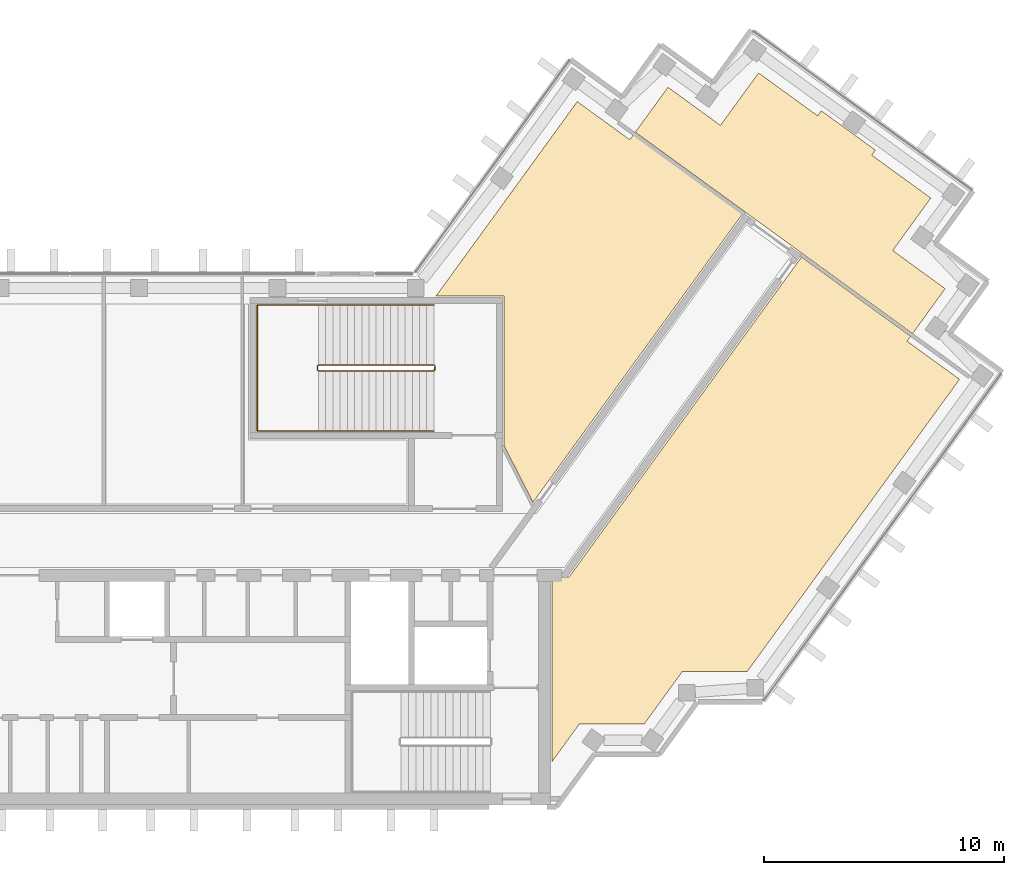
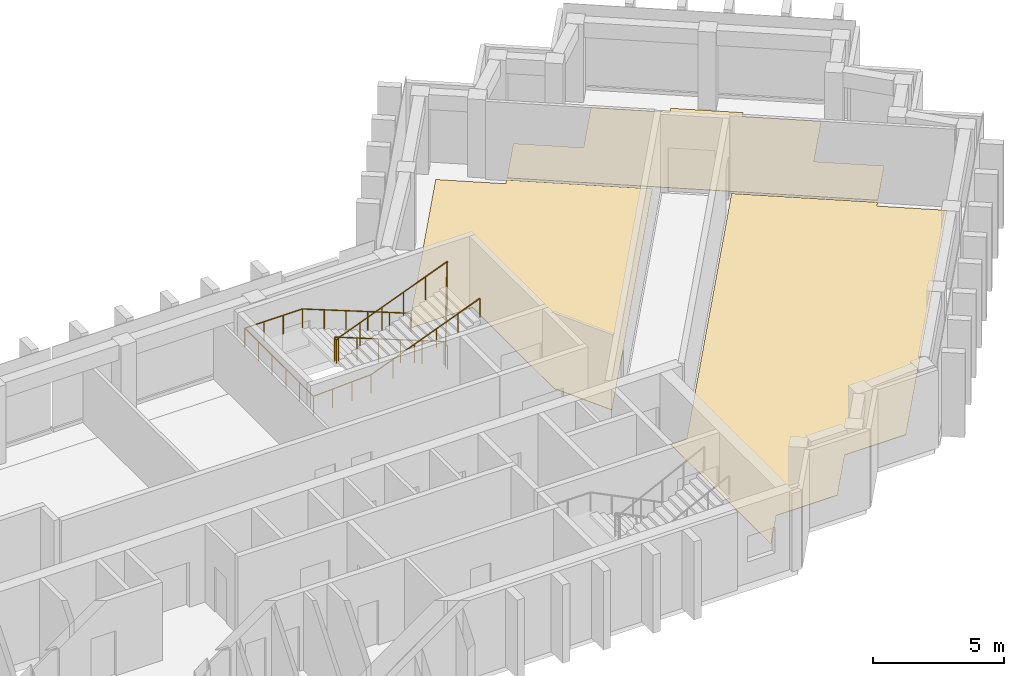
# One storey, part 8 of 8: 3 coverings, 2 railings.
"""IFC4 building model written with IfcOpenShell, lengths in metres."""

from ifc_helpers import new_model, si_unit, direction, frame, origin, origin_2d, place, context, subcontext, project, spatial, polyline, circle, outline, extrude, material, layer, layer_set, type_object, element, save


model = new_model("IFC4")

# Units and contexts
model_context = context("Model", 3, precision=1e-05, world=origin(), true_north=direction((0.0, 1.0)))
body_context = subcontext(model_context, "Body", "Model", "MODEL_VIEW")
ifc_project = project(units=[si_unit("LENGTHUNIT", "METRE"), si_unit("AREAUNIT", "SQUARE_METRE"), si_unit("VOLUMEUNIT", "CUBIC_METRE"), si_unit("PLANEANGLEUNIT", "RADIAN"), si_unit("MASSUNIT", "GRAM", prefix="KILO")], contexts=[model_context])

# Site, building, storey
site_placement = place(None, origin())
site = spatial("IfcSite", under=ifc_project, at=site_placement, CompositionType="ELEMENT")
building_placement = place(site_placement, origin())
building = spatial("IfcBuilding", under=site, at=building_placement, Name="Quipu Civic Tower", CompositionType="ELEMENT")
storey_placement = place(building_placement, frame((0.0, 0.0, 289.0)))
storey = spatial("IfcBuildingStorey", under=building, at=storey_placement, Name="L67", CompositionType="ELEMENT", Elevation=289.0)

# Coverings
ifc_material_1 = material(Name="Carpet tile on raised access floor")
ifc_layer = layer(ifc_material_1, 0.02001953125)
ifc_layer_set = layer_set([ifc_layer], Name="Carpet tile on raised access floor")
covering_type = type_object("IfcCoveringType", Name="Carpet tile floor finish 20", PredefinedType="FLOORING", material=ifc_layer_set)
covering_1_placement = place(storey_placement, origin())
element("IfcCovering", 1, at=covering_1_placement, inside=storey, type_object=covering_type, Name="Carpet tile floor finish 20", PredefinedType="FLOORING", context=body_context, shape_type="SweptSolid", body=[
    extrude(outline(polyline([(15.238037109375, 10.169921875), (21.115966796875, 18.260986328125), (23.299072265625, 16.676025390625), (23.447998046875, 16.876953125), (27.987060546875, 13.5791015625), (19.27197265625, 1.583984375), (18.070068359375, 3.94189453125), (18.070068359375, 10.1689453125), (15.238037109375, 10.169921875)])), origin(), (0.0, 0.0, 1.0), 0.02001953125),
])
covering_2_placement = place(storey_placement, origin())
element("IfcCovering", 2, at=covering_2_placement, inside=storey, type_object=covering_type, Name="Carpet tile floor finish 20", PredefinedType="FLOORING", context=body_context, shape_type="SweptSolid", body=[
    extrude(outline(polyline([(23.531005859375, 16.989013671875), (24.888916015625, 18.85791015625), (27.073974609375, 17.27197265625), (28.658935546875, 19.455078125), (31.116943359375, 17.6708984375), (31.27099609375, 17.8798828125), (33.52197265625, 16.2451171875), (33.3701171875, 16.032958984375), (35.826904296875, 14.248046875), (34.240966796875, 12.06396484375), (36.425048828125, 10.47705078125), (35.068115234375, 8.60791015625), (23.531005859375, 16.989013671875)])), origin(), (0.0, 0.0, 1.0), 0.02001953125),
])
covering_3_placement = place(storey_placement, origin())
element("IfcCovering", 3, at=covering_3_placement, inside=storey, type_object=covering_type, Name="Carpet tile floor finish 20", PredefinedType="FLOORING", context=body_context, shape_type="SweptSolid", body=[
    extrude(outline(polyline([(20.070068359375, -9.195068359375), (20.070068359375, -1.52001953125), (20.77490234375, -1.51904296875), (30.446044921875, 11.7919921875), (34.985107421875, 8.493896484375), (34.839111328125, 8.291015625), (37.02197265625, 6.7060546875), (28.181884765625, -5.4609375), (25.48193359375, -5.4619140625), (23.89501953125, -7.64599609375), (21.196044921875, -7.64599609375), (20.070068359375, -9.195068359375)])), origin(), (0.0, 0.0, 1.0), 0.02001953125),
])

# Railings
ifc_material_2 = material(Name="Stainless steel", Category="steel")
railing_type_1 = type_object("IfcRailingType", Name="Stair guard 1100", PredefinedType="GUARDRAIL", material=ifc_material_2)
railing_1_placement = place(storey_placement, frame((15.14990234375, 7.300048828125, 0.11767578125)))
element("IfcRailing", 4, at=railing_1_placement, inside=storey, type_object=railing_type_1, Name="Stair 4 guard", PredefinedType="GUARDRAIL", context=body_context, shape_type="SweptSolid", body=[
    extrude(circle(Radius=0.02392578125, at=origin_2d()), frame((0.0, 0.0, 1.076171875), z_axis=(-0.930970042603, 0.0, 0.365095576219), x_axis=(0.0, -1.0, 0.0)), (0.0, 0.0, 1.0), 5.15576171875),
    extrude(circle(Radius=0.02392578125, at=origin_2d()), frame((-4.7998046875, 0.0, 2.95849609375), z_axis=(-0.707106781187, -0.707106781187, 0.0), x_axis=(0.707106781187, -0.707106781187, 0.0)), (0.0, 0.0, 1.0), 0.07080078125),
    extrude(circle(Radius=0.02392578125, at=origin_2d()), frame((-4.849853515625, -0.050048828125, 2.95849609375), z_axis=(0.0, -1.0, 0.0), x_axis=(1.0, 0.0, 0.0)), (0.0, 0.0, 1.0), 0.14990234375),
    extrude(circle(Radius=0.02392578125, at=origin_2d()), frame((-4.849853515625, -0.199951171875, 2.95849609375), z_axis=(0.364463019033, -0.364463019033, 0.856932561824), x_axis=(0.707106781187, 0.707106781187, 0.0)), (0.0, 0.0, 1.0), 0.13720703125),
    extrude(circle(Radius=0.02392578125, at=origin_2d()), frame((-4.7998046875, -0.25, 3.076171875), z_axis=(0.930970042603, 0.0, 0.365095576219), x_axis=(0.0, 1.0, 0.0)), (0.0, 0.0, 1.0), 5.15576171875),
    extrude(circle(Radius=0.02392578125, at=origin_2d()), frame((0.0, -0.25, 4.95849609375), z_axis=(0.012495627992, 0.049921557685, -0.998674970829), x_axis=(-0.970072785993, 0.242814311512, 0.0)), (0.0, 0.0, 1.0), 4.00537109375),
    extrude(circle(Radius=0.02392578125, at=origin_2d()), frame((0.050048828125, -0.050048828125, 0.95849609375), z_axis=(0.0, -1.0, 0.0), x_axis=(1.0, 0.0, 0.0)), (0.0, 0.0, 1.0), 0.14990234375),
    extrude(circle(Radius=0.02099609375, at=origin_2d()), origin(), (0.0, 0.0, 1.0), 1.052001953125),
    extrude(circle(Radius=0.02099609375, at=origin_2d()), frame((-0.9599609375, 0.0, 0.37646484375)), (0.0, 0.0, 1.0), 1.052001953125),
    extrude(circle(Radius=0.02099609375, at=origin_2d()), frame((-1.919921875, 0.0, 0.7529296875)), (0.0, 0.0, 1.0), 1.052001953125),
    extrude(circle(Radius=0.02099609375, at=origin_2d()), frame((-2.8798828125, 0.0, 1.12939453125)), (0.0, 0.0, 1.0), 1.052001953125),
    extrude(circle(Radius=0.02099609375, at=origin_2d()), frame((-3.83984375, 0.0, 1.505859375)), (0.0, 0.0, 1.0), 1.052001953125),
    extrude(circle(Radius=0.02099609375, at=origin_2d()), frame((-4.7998046875, 0.0, 1.88232421875)), (0.0, 0.0, 1.0), 1.052001953125),
    extrude(circle(Radius=0.02099609375, at=origin_2d()), frame((-4.849853515625, -0.050048828125, 1.88232421875)), (0.0, 0.0, 1.0), 1.052001953125),
    extrude(circle(Radius=0.02099609375, at=origin_2d()), frame((-4.849853515625, -0.199951171875, 1.88232421875)), (0.0, 0.0, 1.0), 1.052001953125),
    extrude(circle(Radius=0.02099609375, at=origin_2d()), frame((-4.7998046875, -0.25, 2.0)), (0.0, 0.0, 1.0), 1.052001953125),
    extrude(circle(Radius=0.02099609375, at=origin_2d()), frame((-3.83984375, -0.25, 2.37646484375)), (0.0, 0.0, 1.0), 1.052001953125),
    extrude(circle(Radius=0.02099609375, at=origin_2d()), frame((-2.8798828125, -0.25, 2.7529296875)), (0.0, 0.0, 1.0), 1.052001953125),
    extrude(circle(Radius=0.02099609375, at=origin_2d()), frame((-1.919921875, -0.25, 3.12939453125)), (0.0, 0.0, 1.0), 1.052001953125),
    extrude(circle(Radius=0.02099609375, at=origin_2d()), frame((-0.9599609375, -0.25, 3.505859375)), (0.0, 0.0, 1.0), 1.052001953125),
    extrude(circle(Radius=0.02099609375, at=origin_2d()), frame((0.0, -0.25, 3.88232421875)), (0.0, 0.0, 1.0), 1.052001953125),
    extrude(circle(Radius=0.02099609375, at=origin_2d()), frame((0.012451171875, -0.199951171875, 2.88232421875)), (0.0, 0.0, 1.0), 1.052001953125),
    extrude(circle(Radius=0.02099609375, at=origin_2d()), frame((0.02490234375, -0.14990234375, 1.88232421875)), (0.0, 0.0, 1.0), 1.052001953125),
    extrude(circle(Radius=0.02099609375, at=origin_2d()), frame((0.03759765625, -0.10009765625, 0.88232421875)), (0.0, 0.0, 1.0), 1.052001953125),
    extrude(circle(Radius=0.02099609375, at=origin_2d()), frame((0.050048828125, -0.050048828125, -0.11767578125)), (0.0, 0.0, 1.0), 1.052001953125),
    extrude(circle(Radius=0.02099609375, at=origin_2d()), frame((0.050048828125, -0.199951171875, -0.11767578125)), (0.0, 0.0, 1.0), 1.052001953125),
])
ifc_material_3 = material(Name="Stainless steel", Category="steel")
railing_type_2 = type_object("IfcRailingType", Name="Stair handrail", PredefinedType="HANDRAIL", material=ifc_material_3)
railing_2_placement = place(storey_placement, frame((15.14990234375, 9.800048828125, 0.11767578125)))
element("IfcRailing", 5, at=railing_2_placement, inside=storey, type_object=railing_type_2, Name="Stair 4 handrail", PredefinedType="HANDRAIL", context=body_context, shape_type="SweptSolid", body=[
    extrude(circle(Radius=0.02392578125, at=origin_2d()), frame((0.0, 0.0, 0.8759765625), z_axis=(-0.930970042603, 0.0, 0.365095576219), x_axis=(0.0, -1.0, 0.0)), (0.0, 0.0, 1.0), 5.15576171875),
    extrude(circle(Radius=0.02392578125, at=origin_2d()), frame((-4.7998046875, 0.0, 2.75830078125), z_axis=(-1.0, 0.0, 0.0), x_axis=(0.0, -1.0, 0.0)), (0.0, 0.0, 1.0), 2.550048828125),
    extrude(circle(Radius=0.02392578125, at=origin_2d()), frame((-7.349853515625, 0.0, 2.75830078125), z_axis=(0.0, -1.0, 0.0), x_axis=(1.0, 0.0, 0.0)), (0.0, 0.0, 1.0), 5.25),
    extrude(circle(Radius=0.02392578125, at=origin_2d()), frame((-7.349853515625, -5.25, 2.75830078125), z_axis=(0.998936948642, 0.0, 0.04609742549), x_axis=(0.0, 1.0, 0.0)), (0.0, 0.0, 1.0), 2.552734375),
    extrude(circle(Radius=0.02392578125, at=origin_2d()), frame((-4.7998046875, -5.25, 2.8759765625), z_axis=(0.930970042603, 0.0, 0.365095576219), x_axis=(0.0, 1.0, 0.0)), (0.0, 0.0, 1.0), 5.15576171875),
    extrude(circle(Radius=0.02099609375, at=origin_2d()), origin(), (0.0, 0.0, 1.0), 0.851806640625),
    extrude(circle(Radius=0.02099609375, at=origin_2d()), frame((-0.9599609375, 0.0, 0.37646484375)), (0.0, 0.0, 1.0), 0.851806640625),
    extrude(circle(Radius=0.02099609375, at=origin_2d()), frame((-1.919921875, 0.0, 0.7529296875)), (0.0, 0.0, 1.0), 0.851806640625),
    extrude(circle(Radius=0.02099609375, at=origin_2d()), frame((-2.8798828125, 0.0, 1.12939453125)), (0.0, 0.0, 1.0), 0.851806640625),
    extrude(circle(Radius=0.02099609375, at=origin_2d()), frame((-3.83984375, 0.0, 1.505859375)), (0.0, 0.0, 1.0), 0.851806640625),
    extrude(circle(Radius=0.02099609375, at=origin_2d()), frame((-4.7998046875, 0.0, 1.88232421875)), (0.0, 0.0, 1.0), 0.851806640625),
    extrude(circle(Radius=0.02099609375, at=origin_2d()), frame((-5.64990234375, 0.0, 1.88232421875)), (0.0, 0.0, 1.0), 0.851806640625),
    extrude(circle(Radius=0.02099609375, at=origin_2d()), frame((-6.499755859375, 0.0, 1.88232421875)), (0.0, 0.0, 1.0), 0.851806640625),
    extrude(circle(Radius=0.02099609375, at=origin_2d()), frame((-7.349853515625, 0.0, 1.88232421875)), (0.0, 0.0, 1.0), 0.851806640625),
    extrude(circle(Radius=0.02099609375, at=origin_2d()), frame((-7.349853515625, -1.050048828125, 1.88232421875)), (0.0, 0.0, 1.0), 0.851806640625),
    extrude(circle(Radius=0.02099609375, at=origin_2d()), frame((-7.349853515625, -2.10009765625, 1.88232421875)), (0.0, 0.0, 1.0), 0.851806640625),
    extrude(circle(Radius=0.02099609375, at=origin_2d()), frame((-7.349853515625, -3.14990234375, 1.88232421875)), (0.0, 0.0, 1.0), 0.851806640625),
    extrude(circle(Radius=0.02099609375, at=origin_2d()), frame((-7.349853515625, -4.199951171875, 1.88232421875)), (0.0, 0.0, 1.0), 0.851806640625),
    extrude(circle(Radius=0.02099609375, at=origin_2d()), frame((-7.349853515625, -5.25, 1.88232421875)), (0.0, 0.0, 1.0), 0.851806640625),
    extrude(circle(Radius=0.02099609375, at=origin_2d()), frame((-6.499755859375, -5.25, 1.921630859375)), (0.0, 0.0, 1.0), 0.851806640625),
    extrude(circle(Radius=0.02099609375, at=origin_2d()), frame((-5.64990234375, -5.25, 1.960693359375)), (0.0, 0.0, 1.0), 0.851806640625),
    extrude(circle(Radius=0.02099609375, at=origin_2d()), frame((-4.7998046875, -5.25, 2.0)), (0.0, 0.0, 1.0), 0.851806640625),
    extrude(circle(Radius=0.02099609375, at=origin_2d()), frame((-3.83984375, -5.25, 2.37646484375)), (0.0, 0.0, 1.0), 0.851806640625),
    extrude(circle(Radius=0.02099609375, at=origin_2d()), frame((-2.8798828125, -5.25, 2.7529296875)), (0.0, 0.0, 1.0), 0.851806640625),
    extrude(circle(Radius=0.02099609375, at=origin_2d()), frame((-1.919921875, -5.25, 3.12939453125)), (0.0, 0.0, 1.0), 0.851806640625),
    extrude(circle(Radius=0.02099609375, at=origin_2d()), frame((-0.9599609375, -5.25, 3.505859375)), (0.0, 0.0, 1.0), 0.851806640625),
    extrude(circle(Radius=0.02099609375, at=origin_2d()), frame((0.0, -5.25, 3.88232421875)), (0.0, 0.0, 1.0), 0.851806640625),
])

save(model, "model.ifc")
